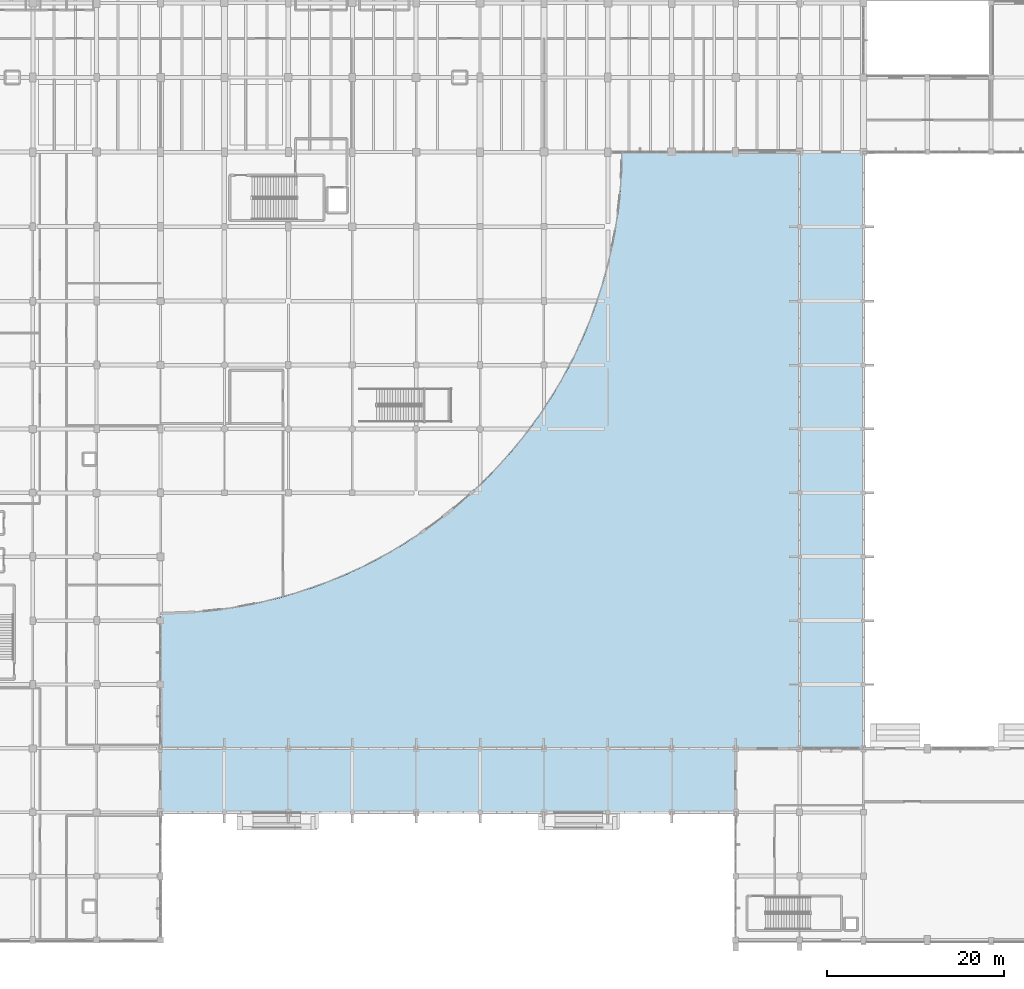
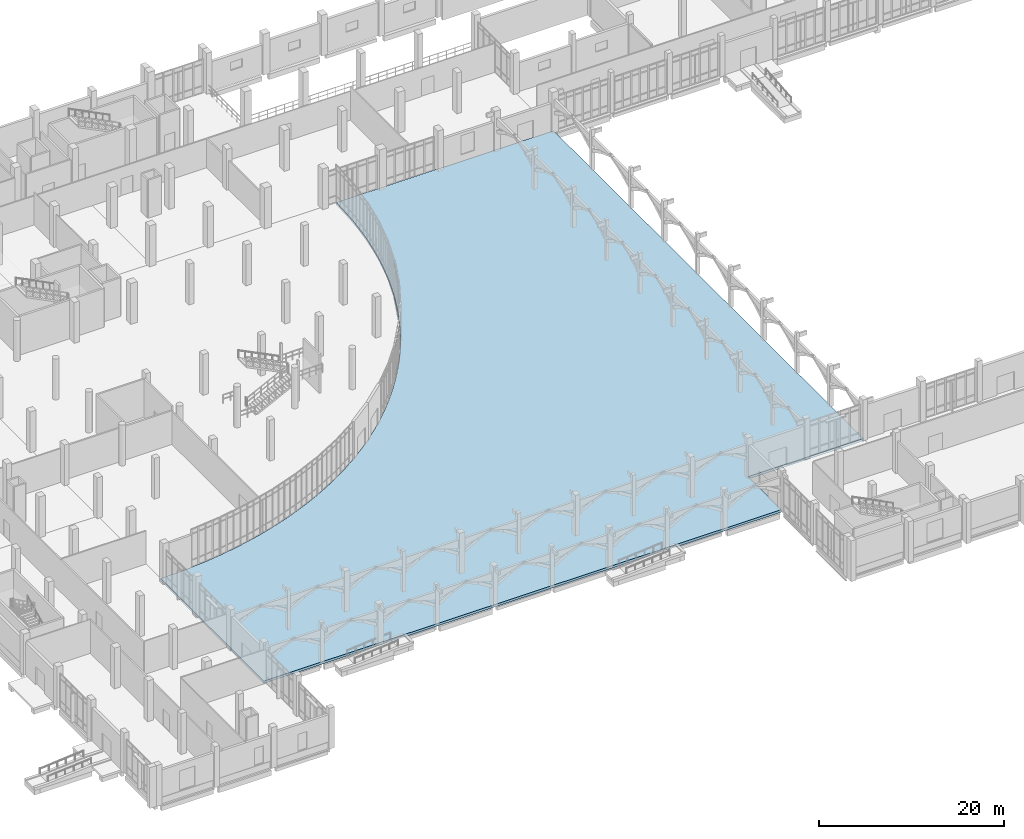
# One storey, part 80 of 110: 1 slab.
"""IFC4 building model written with IfcOpenShell, lengths in metres."""

from ifc_helpers import new_model, si_unit, direction, frame, origin, place, context, subcontext, project, spatial, polyline, outline, extrude, material, layer, layer_set, type_object, element, save


model = new_model("IFC4")

# Units and contexts
model_context = context("Model", 3, precision=1e-05, world=origin(), true_north=direction((0.0, 1.0)))
body_context = subcontext(model_context, "Body", "Model", "MODEL_VIEW")
ifc_project = project(units=[si_unit("LENGTHUNIT", "METRE"), si_unit("AREAUNIT", "SQUARE_METRE"), si_unit("VOLUMEUNIT", "CUBIC_METRE"), si_unit("PLANEANGLEUNIT", "RADIAN"), si_unit("MASSUNIT", "GRAM", prefix="KILO")], contexts=[model_context])

# Site, building, storey
site_placement = place(None, origin())
site = spatial("IfcSite", under=ifc_project, at=site_placement, CompositionType="ELEMENT")
building_placement = place(site_placement, origin())
building = spatial("IfcBuilding", under=site, at=building_placement, Name="Kalluvel Institute of Natural Sciences", CompositionType="ELEMENT")
storey_placement = place(building_placement, origin())
storey = spatial("IfcBuildingStorey", under=building, at=storey_placement, Name="L00", CompositionType="ELEMENT", Elevation=0.0)

# Slab
ifc_material = material(Name="Concrete M40", Category="concrete")
ifc_layer = layer(ifc_material, 0.320068359375)
ifc_layer_set = layer_set([ifc_layer], Name="Concrete M40")
slab_type = type_object("IfcSlabType", Name="SLB-PLAZA-320", PredefinedType="BASESLAB", material=ifc_layer_set)
slab_placement = place(storey_placement, frame((0.0, 0.0, -0.320068359375)))
element("IfcSlab", 1, at=slab_placement, inside=storey, type_object=slab_type, Name="L00 Collegiate Quadrangle Cloister and Forecourt Granite Base Slab", PredefinedType="BASESLAB", context=body_context, shape_type="SweptSolid", body=[
    extrude(outline(polyline([(35.60009765625, 28.39990234375), (35.60009765625, 35.60009765625), (35.60009765625, 50.800048828125), (37.544189453125, 50.83642578125), (39.486083984375, 50.9453125), (41.422119140625, 51.126953125), (43.35009765625, 51.380859375), (45.267333984375, 51.70654296875), (47.171142578125, 52.103759765625), (49.05859375, 52.572021484375), (50.92724609375, 53.110107421875), (52.7744140625, 53.718017578125), (54.59765625, 54.39453125), (56.394287109375, 55.138916015625), (58.162109375, 55.94970703125), (59.89794921875, 56.825927734375), (61.60009765625, 57.7666015625), (63.265625, 58.770263671875), (64.892578125, 59.835693359375), (66.478515625, 60.9609375), (68.021484375, 62.144775390625), (69.518798828125, 63.385498046875), (70.968994140625, 64.681396484375), (72.36962890625, 66.030517578125), (73.71875, 67.430908203125), (75.014404296875, 68.881103515625), (76.255126953125, 70.37841796875), (77.439208984375, 71.92138671875), (78.564453125, 73.50732421875), (79.629638671875, 75.13427734375), (80.63330078125, 76.800048828125), (81.573974609375, 78.501953125), (82.450439453125, 80.238037109375), (83.26123046875, 82.005615234375), (84.00537109375, 83.80224609375), (84.681884765625, 85.62548828125), (85.289794921875, 87.47265625), (85.828125, 89.34130859375), (86.29638671875, 91.22900390625), (86.693603515625, 93.132568359375), (87.019287109375, 95.0498046875), (87.27294921875, 96.977783203125), (87.45458984375, 98.9140625), (87.563720703125, 100.855712890625), (87.60009765625, 102.800048828125), (107.60009765625, 102.800048828125), (114.800048828125, 102.800048828125), (114.800048828125, 35.60009765625), (107.60009765625, 35.60009765625), (100.39990234375, 35.60009765625), (100.39990234375, 28.39990234375), (35.60009765625, 28.39990234375)])), origin(), (0.0, 0.0, 1.0), 0.320068359375),
])

save(model, "model.ifc")
